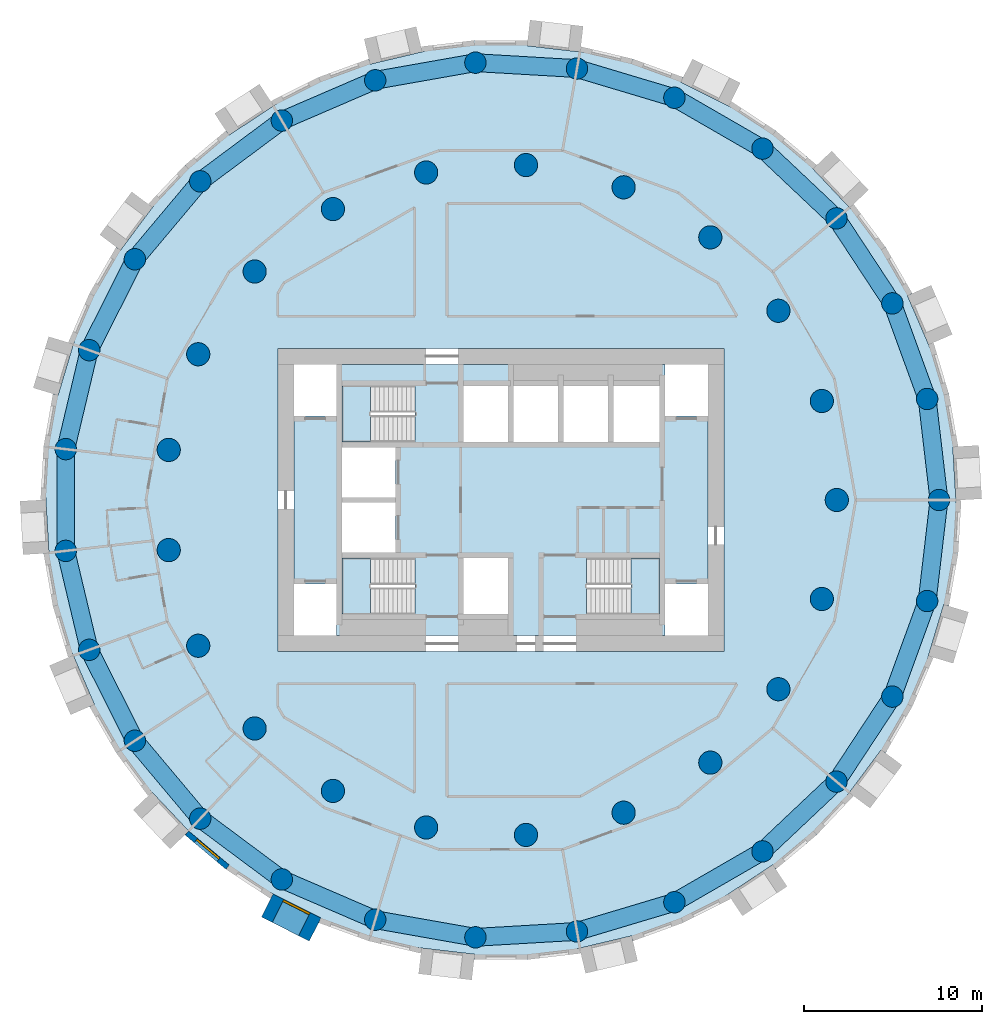
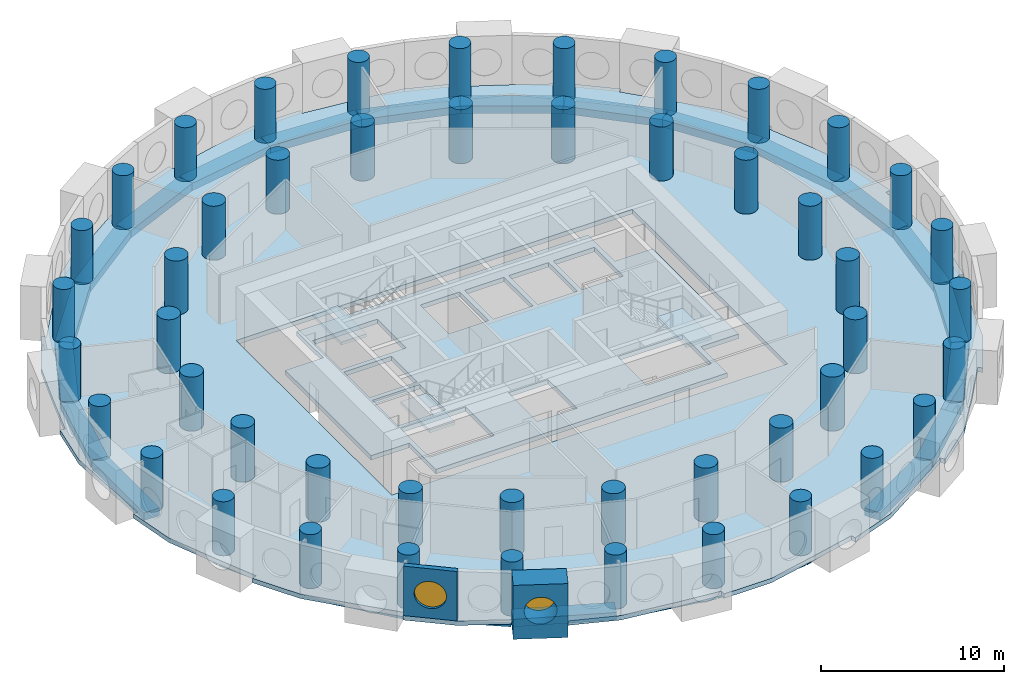
# One storey, part 1 of 9: 48 columns, 27 beams, 5 slabs, 2 walls, 2 windows, 2 openings, 3 elements without a shape of their own.
"""IFC4 building model written with IfcOpenShell, lengths in metres."""

from ifc_helpers import new_model, si_unit, direction, frame, frame_2d, origin, origin_2d, place, context, subcontext, project, spatial, polyline, rectangle, circle, outline, extrude, material, layer, layer_set, material_profile, profile_set, type_object, element, fill, aggregate, save


model = new_model("IFC4")

# Units and contexts
model_context = context("Model", 3, precision=1e-05, world=origin(), true_north=direction((0.0, 1.0)))
body_context = subcontext(model_context, "Body", "Model", "MODEL_VIEW")
ifc_project = project(units=[si_unit("LENGTHUNIT", "METRE"), si_unit("AREAUNIT", "SQUARE_METRE"), si_unit("VOLUMEUNIT", "CUBIC_METRE"), si_unit("PLANEANGLEUNIT", "RADIAN"), si_unit("MASSUNIT", "GRAM", prefix="KILO")], contexts=[model_context])

# Site, building, storey
site_placement = place(None, origin())
site = spatial("IfcSite", under=ifc_project, at=site_placement, CompositionType="ELEMENT")
building_placement = place(site_placement, origin())
building = spatial("IfcBuilding", under=site, at=building_placement, Name="Tracery Tower", CompositionType="ELEMENT")
storey_placement = place(building_placement, frame((0.0, 0.0, 205.199951171875)))
storey = spatial("IfcBuildingStorey", under=building, at=storey_placement, Name="L53", CompositionType="ELEMENT", Elevation=205.199951171875)

# Columns
ifc_material_1 = material(Name="Concrete C50/60", Category="concrete")
ifc_material_profile_1 = material_profile(ifc_material_1, circle(Radius=0.60009765625, at=origin_2d()), Name="RC D1200")
ifc_profile_set_1 = profile_set([ifc_material_profile_1], Name="Concrete C50/60")
column_type_1 = type_object("IfcColumnType", Name="Ring 1 column 1200", PredefinedType="COLUMN", material=ifc_profile_set_1)
for number, where, z_axis, x_axis, name in (
    (1, (24.547607421875, 0.0, 0.0), (0.0, 0.0, 1.0), (1.0, 0.0, 0.0), "Ring 1 column 00 at L53"),
    (2, (23.885986328125, 5.6611328125, 0.0), (0.0, 0.0, 1.0), (1.0, 0.0, 0.0), "Ring 1 column 01 at L53"),
    (3, (21.9365234375, 11.01708984375, 0.0), (0.0, 0.0, 1.0), (1.0, 0.0, 0.0), "Ring 1 column 02 at L53"),
    (4, (18.8046875, 15.779052734375, 0.0), (0.0, 0.0, 1.0), (1.0, 0.0, 0.0), "Ring 1 column 03 at L53"),
    (5, (14.658935546875, 19.690185546875, 0.0), (0.0, 0.0, 1.0), (1.0, 0.0, 0.0), "Ring 1 column 04 at L53"),
    (6, (9.722900390625, 22.5400390625, 0.0), (0.0, 0.0, 1.0), (1.0, 0.0, 0.0), "Ring 1 column 05 at L53"),
    (7, (4.2626953125, 24.1748046875, 0.0), (0.0, 0.0, 1.0), (1.0, 0.0, 0.0), "Ring 1 column 06 at L53"),
    (8, (-1.42724609375, 24.506103515625, 0.0), (0.0, 0.0, 1.0), (1.0, 0.0, 0.0), "Ring 1 column 07 at L53"),
    (9, (-7.040283203125, 23.516357421875, 0.0), (0.0, 0.0, 1.0), (1.0, 0.0, 0.0), "Ring 1 column 08 at L53"),
    (10, (-12.273681640625, 21.2587890625, 0.0), (0.0, 0.0, 1.0), (1.0, 0.0, 0.0), "Ring 1 column 09 at L53"),
    (11, (-16.845703125, 17.855224609375, 0.0), (0.0, 0.0, 1.0), (1.0, 0.0, 0.0), "Ring 1 column 10 at L53"),
    (12, (-20.50927734375, 13.4892578125, 0.0), (0.0, 0.0, 1.0), (1.0, 0.0, 0.0), "Ring 1 column 11 at L53"),
    (13, (-23.0673828125, 8.395751953125, 0.0), (0.0, 0.0, 1.0), (1.0, 0.0, 0.0), "Ring 1 column 12 at L53"),
    (14, (-24.381591796875, 2.849853515625, 0.0), (0.0, 0.0, 1.0), (1.0, 0.0, 0.0), "Ring 1 column 13 at L53"),
    (15, (-24.381591796875, -2.849853515625, 0.0), (0.0, 0.0, 1.0), (1.0, 0.0, 0.0), "Ring 1 column 14 at L53"),
    (16, (-23.0673828125, -8.395751953125, 0.0), (0.0, 0.0, 1.0), (1.0, 0.0, 0.0), "Ring 1 column 15 at L53"),
    (17, (-20.50927734375, -13.4892578125, 0.0), (0.0, 0.0, 1.0), (1.0, 0.0, 0.0), "Ring 1 column 16 at L53"),
    (18, (-16.845703125, -17.85546875, 0.0), (0.0, 0.0, 1.0), (1.0, 0.0, 0.0), "Ring 1 column 17 at L53"),
    (19, (-12.27392578125, -21.2587890625, 0.0), (0.0, 0.0, 1.0), (1.0, 0.0, 0.0), "Ring 1 column 18 at L53"),
    (20, (-7.040283203125, -23.516357421875, 0.0), (0.0, 0.0, 1.0), (1.0, 0.0, 0.0), "Ring 1 column 19 at L53"),
    (21, (-1.42724609375, -24.506103515625, 0.0), (0.0, 0.0, 1.0), (1.0, 0.0, 0.0), "Ring 1 column 20 at L53"),
    (22, (4.2626953125, -24.1748046875, 0.0), (0.0, 0.0, 1.0), (1.0, 0.0, 0.0), "Ring 1 column 21 at L53"),
    (23, (9.722900390625, -22.5400390625, 0.0), (0.0, 0.0, 1.0), (1.0, 0.0, 0.0), "Ring 1 column 22 at L53"),
    (24, (14.658935546875, -19.690185546875, 0.0), (0.0, 0.0, 1.0), (1.0, 0.0, 0.0), "Ring 1 column 23 at L53"),
    (25, (18.8046875, -15.779052734375, 0.0), (0.0, 0.0, 1.0), (1.0, 0.0, 0.0), "Ring 1 column 24 at L53"),
    (26, (21.9365234375, -11.01708984375, 0.0), (0.0, 0.0, 1.0), (1.0, 0.0, 0.0), "Ring 1 column 25 at L53"),
    (27, (23.885986328125, -5.6611328125, 0.0), (0.0, 0.0, 1.0), (1.0, 0.0, 0.0), "Ring 1 column 26 at L53"),
):
    element("IfcColumn", number, at=place(storey_placement, frame(where, z_axis=z_axis, x_axis=x_axis)), inside=storey, type_object=column_type_1, Name=name, PredefinedType="COLUMN", context=body_context, shape_type="SweptSolid", body=[
        extrude(circle(Radius=0.60009765625, at=origin_2d()), origin(), (0.0, 0.0, 1.0), 3.60009765625),
    ])
ifc_material_2 = material(Name="Concrete C50/60", Category="concrete")
ifc_material_profile_2 = material_profile(ifc_material_2, circle(Radius=0.64990234375, at=origin_2d()), Name="RC D1300")
ifc_profile_set_2 = profile_set([ifc_material_profile_2], Name="Concrete C50/60")
column_type_2 = type_object("IfcColumnType", Name="Ring 2 column 1300", PredefinedType="COLUMN", material=ifc_profile_set_2)
for number, where, z_axis, x_axis, name in (
    (28, (18.822265625, 0.0, 0.0), (0.0, 0.0, 1.0), (1.0, 0.0, 0.0), "Ring 2 column 00 at L53"),
    (29, (17.986083984375, 5.5478515625, 0.0), (0.0, 0.0, 1.0), (1.0, 0.0, 0.0), "Ring 2 column 01 at L53"),
    (30, (15.551513671875, 10.602783203125, 0.0), (0.0, 0.0, 1.0), (1.0, 0.0, 0.0), "Ring 2 column 02 at L53"),
    (31, (11.7353515625, 14.7158203125, 0.0), (0.0, 0.0, 1.0), (1.0, 0.0, 0.0), "Ring 2 column 03 at L53"),
    (32, (6.87646484375, 17.52099609375, 0.0), (0.0, 0.0, 1.0), (1.0, 0.0, 0.0), "Ring 2 column 04 at L53"),
    (33, (1.406494140625, 18.76953125, 0.0), (0.0, 0.0, 1.0), (1.0, 0.0, 0.0), "Ring 2 column 05 at L53"),
    (34, (-4.188232421875, 18.350341796875, 0.0), (0.0, 0.0, 1.0), (1.0, 0.0, 0.0), "Ring 2 column 06 at L53"),
    (35, (-9.4111328125, 16.300537109375, 0.0), (0.0, 0.0, 1.0), (1.0, 0.0, 0.0), "Ring 2 column 07 at L53"),
    (36, (-13.797607421875, 12.802490234375, 0.0), (0.0, 0.0, 1.0), (1.0, 0.0, 0.0), "Ring 2 column 08 at L53"),
    (37, (-16.958251953125, 8.16650390625, 0.0), (0.0, 0.0, 1.0), (1.0, 0.0, 0.0), "Ring 2 column 09 at L53"),
    (38, (-18.612060546875, 2.805419921875, 0.0), (0.0, 0.0, 1.0), (1.0, 0.0, 0.0), "Ring 2 column 10 at L53"),
    (39, (-18.612060546875, -2.805419921875, 0.0), (0.0, 0.0, 1.0), (1.0, 0.0, 0.0), "Ring 2 column 11 at L53"),
    (40, (-16.958251953125, -8.166748046875, 0.0), (0.0, 0.0, 1.0), (1.0, 0.0, 0.0), "Ring 2 column 12 at L53"),
    (41, (-13.797607421875, -12.80224609375, 0.0), (0.0, 0.0, 1.0), (1.0, 0.0, 0.0), "Ring 2 column 13 at L53"),
    (42, (-9.4111328125, -16.300537109375, 0.0), (0.0, 0.0, 1.0), (1.0, 0.0, 0.0), "Ring 2 column 14 at L53"),
    (43, (-4.188232421875, -18.350341796875, 0.0), (0.0, 0.0, 1.0), (1.0, 0.0, 0.0), "Ring 2 column 15 at L53"),
    (44, (1.406494140625, -18.76953125, 0.0), (0.0, 0.0, 1.0), (1.0, 0.0, 0.0), "Ring 2 column 16 at L53"),
    (45, (6.87646484375, -17.52099609375, 0.0), (0.0, 0.0, 1.0), (1.0, 0.0, 0.0), "Ring 2 column 17 at L53"),
    (46, (11.7353515625, -14.7158203125, 0.0), (0.0, 0.0, 1.0), (1.0, 0.0, 0.0), "Ring 2 column 18 at L53"),
    (47, (15.551513671875, -10.602783203125, 0.0), (0.0, 0.0, 1.0), (1.0, 0.0, 0.0), "Ring 2 column 19 at L53"),
    (48, (17.986083984375, -5.5478515625, 0.0), (0.0, 0.0, 1.0), (1.0, 0.0, 0.0), "Ring 2 column 20 at L53"),
):
    element("IfcColumn", number, at=place(storey_placement, frame(where, z_axis=z_axis, x_axis=x_axis)), inside=storey, type_object=column_type_2, Name=name, PredefinedType="COLUMN", context=body_context, shape_type="SweptSolid", body=[
        extrude(circle(Radius=0.64990234375, at=origin_2d()), origin(), (0.0, 0.0, 1.0), 3.60009765625),
    ])

# Beams
ifc_material_3 = material(Name="Concrete C50/60", Category="concrete")
ifc_material_profile_3 = material_profile(ifc_material_3, rectangle(XDim=1.0, YDim=0.5, at=origin_2d()), Name="RC 1000x500")
ifc_profile_set_3 = profile_set([ifc_material_profile_3], Name="Concrete C50/60")
beam_type = type_object("IfcBeamType", Name="Perimeter band beam 1000x500", PredefinedType="BEAM", material=ifc_profile_set_3)
for number, where, z_axis, x_axis, name in (
    (49, (24.547607421875, 0.0, -0.550048828125), (-0.116080723252, 0.993239782575, 0.0), (-0.993239782575, -0.116080723252, 0.0), "Perimeter beam 1.00 under L53"),
    (50, (23.885986328125, 5.6611328125, -0.550048828125), (-0.342028502279, 0.939689578334, 0.0), (-0.939689578334, -0.342028502279, 0.0), "Perimeter beam 1.01 under L53"),
):
    element("IfcBeam", number, at=place(storey_placement, frame(where, z_axis=z_axis, x_axis=x_axis)), inside=storey, type_object=beam_type, Name=name, PredefinedType="BEAM", context=body_context, shape_type="SweptSolid", body=[
        extrude(rectangle(XDim=1.0, YDim=0.5, at=origin_2d()), origin(), (0.0, 0.0, 1.0), 5.69970703125),
    ])
for number, where, z_axis, x_axis, name in (
    (51, (21.9365234375, 11.01708984375, -0.550048828125), (-0.549489832182, 0.835500403548, 0.0), (-0.835500403548, -0.549489832182, 0.0), "Perimeter beam 1.02 under L53"),
    (52, (18.8046875, 15.779052734375, -0.550048828125), (-0.727389618263, 0.686224703172, 0.0), (-0.686224703172, -0.727389618263, 0.0), "Perimeter beam 1.03 under L53"),
):
    element("IfcBeam", number, at=place(storey_placement, frame(where, z_axis=z_axis, x_axis=x_axis)), inside=storey, type_object=beam_type, Name=name, PredefinedType="BEAM", context=body_context, shape_type="SweptSolid", body=[
        extrude(rectangle(XDim=1.0, YDim=0.5, at=origin_2d()), origin(), (0.0, 0.0, 1.0), 5.699462890625),
    ])
for number, where, z_axis, x_axis, name in (
    (53, (14.658935546875, 19.690185546875, -0.550048828125), (-0.866022950691, 0.500004248858, 0.0), (-0.500004248858, -0.866022950691, 0.0), "Perimeter beam 1.04 under L53"),
    (54, (9.722900390625, 22.5400390625, -0.550048828125), (-0.957985292634, 0.28681732705, 0.0), (-0.28681732705, -0.957985292634, 0.0), "Perimeter beam 1.05 under L53"),
):
    element("IfcBeam", number, at=place(storey_placement, frame(where, z_axis=z_axis, x_axis=x_axis)), inside=storey, type_object=beam_type, Name=name, PredefinedType="BEAM", context=body_context, shape_type="SweptSolid", body=[
        extrude(rectangle(XDim=1.0, YDim=0.5, at=origin_2d()), origin(), (0.0, 0.0, 1.0), 5.69970703125),
    ])
beam_1_placement = place(storey_placement, frame((4.2626953125, 24.1748046875, -0.550048828125), z_axis=(-0.99830920221, 0.058126902403, 0.0), x_axis=(-0.058126902403, -0.99830920221, 0.0)))
element("IfcBeam", 55, at=beam_1_placement, inside=storey, type_object=beam_type, Name="Perimeter beam 1.06 under L53", PredefinedType="BEAM", context=body_context, shape_type="SweptSolid", body=[
    extrude(rectangle(XDim=1.0, YDim=0.5, at=origin_2d()), origin(), (0.0, 0.0, 1.0), 5.699462890625),
])
beam_2_placement = place(storey_placement, frame((-1.42724609375, 24.506103515625, -0.550048828125), z_axis=(-0.984807266719, -0.173650935552, 0.0), x_axis=(0.173650935552, -0.984807266719, 0.0)))
element("IfcBeam", 56, at=beam_2_placement, inside=storey, type_object=beam_type, Name="Perimeter beam 1.07 under L53", PredefinedType="BEAM", context=body_context, shape_type="SweptSolid", body=[
    extrude(rectangle(XDim=1.0, YDim=0.5, at=origin_2d()), origin(), (0.0, 0.0, 1.0), 5.69970703125),
])
beam_3_placement = place(storey_placement, frame((-7.040283203125, 23.516357421875, -0.550048828125), z_axis=(-0.918209685525, -0.396094652083, 0.0), x_axis=(0.396094652083, -0.918209685525, 0.0)))
element("IfcBeam", 57, at=beam_3_placement, inside=storey, type_object=beam_type, Name="Perimeter beam 1.08 under L53", PredefinedType="BEAM", context=body_context, shape_type="SweptSolid", body=[
    extrude(rectangle(XDim=1.0, YDim=0.5, at=origin_2d()), origin(), (0.0, 0.0, 1.0), 5.699462890625),
])
beam_4_placement = place(storey_placement, frame((-12.273681640625, 21.2587890625, -0.550048828125), z_axis=(-0.802138271299, -0.59713833717, 0.0), x_axis=(0.59713833717, -0.802138271299, 0.0)))
element("IfcBeam", 58, at=beam_4_placement, inside=storey, type_object=beam_type, Name="Perimeter beam 1.09 under L53", PredefinedType="BEAM", context=body_context, shape_type="SweptSolid", body=[
    extrude(rectangle(XDim=1.0, YDim=0.5, at=origin_2d()), origin(), (0.0, 0.0, 1.0), 5.69970703125),
])
beam_5_placement = place(storey_placement, frame((-16.845703125, 17.855224609375, -0.550048828125), z_axis=(-0.642797194343, -0.766036400535, 0.0), x_axis=(0.766036400535, -0.642797194343, 0.0)))
element("IfcBeam", 59, at=beam_5_placement, inside=storey, type_object=beam_type, Name="Perimeter beam 1.10 under L53", PredefinedType="BEAM", context=body_context, shape_type="SweptSolid", body=[
    extrude(rectangle(XDim=1.0, YDim=0.5, at=origin_2d()), origin(), (0.0, 0.0, 1.0), 5.699462890625),
])
beam_6_placement = place(storey_placement, frame((-20.50927734375, 13.4892578125, -0.550048828125), z_axis=(-0.448806280933, -0.893629074166, 0.0), x_axis=(0.893629074166, -0.448806280933, 0.0)))
element("IfcBeam", 60, at=beam_6_placement, inside=storey, type_object=beam_type, Name="Perimeter beam 1.11 under L53", PredefinedType="BEAM", context=body_context, shape_type="SweptSolid", body=[
    extrude(rectangle(XDim=1.0, YDim=0.5, at=origin_2d()), origin(), (0.0, 0.0, 1.0), 5.69970703125),
])
beam_7_placement = place(storey_placement, frame((-23.0673828125, 8.395751953125, -0.550048828125), z_axis=(-0.230583793756, -0.973052472407, 0.0), x_axis=(0.973052472407, -0.230583793756, 0.0)))
element("IfcBeam", 61, at=beam_7_placement, inside=storey, type_object=beam_type, Name="Perimeter beam 1.12 under L53", PredefinedType="BEAM", context=body_context, shape_type="SweptSolid", body=[
    extrude(rectangle(XDim=1.0, YDim=0.5, at=origin_2d()), origin(), (0.0, 0.0, 1.0), 5.699462890625),
])
beam_8_placement = place(storey_placement, frame((-24.381591796875, 2.849853515625, -0.550048828125), z_axis=(0.0, -1.0, 0.0), x_axis=(1.0, 0.0, 0.0)))
element("IfcBeam", 62, at=beam_8_placement, inside=storey, type_object=beam_type, Name="Perimeter beam 1.13 under L53", PredefinedType="BEAM", context=body_context, shape_type="SweptSolid", body=[
    extrude(rectangle(XDim=1.0, YDim=0.5, at=origin_2d()), origin(), (0.0, 0.0, 1.0), 5.69970703125),
])
beam_9_placement = place(storey_placement, frame((-24.381591796875, -2.849853515625, -0.550048828125), z_axis=(0.230583793756, -0.973052472407, 0.0), x_axis=(0.973052472407, 0.230583793756, 0.0)))
element("IfcBeam", 63, at=beam_9_placement, inside=storey, type_object=beam_type, Name="Perimeter beam 1.14 under L53", PredefinedType="BEAM", context=body_context, shape_type="SweptSolid", body=[
    extrude(rectangle(XDim=1.0, YDim=0.5, at=origin_2d()), origin(), (0.0, 0.0, 1.0), 5.699462890625),
])
for number, where, z_axis, x_axis, name in (
    (64, (-23.0673828125, -8.395751953125, -0.550048828125), (0.448806280933, -0.893629074166, 0.0), (0.893629074166, 0.448806280933, 0.0), "Perimeter beam 1.15 under L53"),
    (65, (-20.50927734375, -13.4892578125, -0.550048828125), (0.64277610208, -0.766054099, 0.0), (0.766054099, 0.64277610208, 0.0), "Perimeter beam 1.16 under L53"),
):
    element("IfcBeam", number, at=place(storey_placement, frame(where, z_axis=z_axis, x_axis=x_axis)), inside=storey, type_object=beam_type, Name=name, PredefinedType="BEAM", context=body_context, shape_type="SweptSolid", body=[
        extrude(rectangle(XDim=1.0, YDim=0.5, at=origin_2d()), origin(), (0.0, 0.0, 1.0), 5.69970703125),
    ])
beam_10_placement = place(storey_placement, frame((-16.845703125, -17.85546875, -0.550048828125), z_axis=(0.802143514942, -0.597131293298, 0.0), x_axis=(0.597131293298, 0.802143514942, 0.0)))
element("IfcBeam", 66, at=beam_10_placement, inside=storey, type_object=beam_type, Name="Perimeter beam 1.17 under L53", PredefinedType="BEAM", context=body_context, shape_type="SweptSolid", body=[
    extrude(rectangle(XDim=1.0, YDim=0.5, at=origin_2d()), origin(), (0.0, 0.0, 1.0), 5.699462890625),
])
for number, where, z_axis, x_axis, name in (
    (67, (-12.27392578125, -21.2587890625, -0.550048828125), (0.918216405543, -0.39607907366, 0.0), (0.39607907366, 0.918216405543, 0.0), "Perimeter beam 1.18 under L53"),
    (68, (-7.040283203125, -23.516357421875, -0.550048828125), (0.984807266719, -0.173650935552, 0.0), (0.173650935552, 0.984807266719, 0.0), "Perimeter beam 1.19 under L53"),
):
    element("IfcBeam", number, at=place(storey_placement, frame(where, z_axis=z_axis, x_axis=x_axis)), inside=storey, type_object=beam_type, Name=name, PredefinedType="BEAM", context=body_context, shape_type="SweptSolid", body=[
        extrude(rectangle(XDim=1.0, YDim=0.5, at=origin_2d()), origin(), (0.0, 0.0, 1.0), 5.69970703125),
    ])
beam_11_placement = place(storey_placement, frame((-1.42724609375, -24.506103515625, -0.550048828125), z_axis=(0.99830920221, 0.058126902403, 0.0), x_axis=(-0.058126902403, 0.99830920221, 0.0)))
element("IfcBeam", 69, at=beam_11_placement, inside=storey, type_object=beam_type, Name="Perimeter beam 1.20 under L53", PredefinedType="BEAM", context=body_context, shape_type="SweptSolid", body=[
    extrude(rectangle(XDim=1.0, YDim=0.5, at=origin_2d()), origin(), (0.0, 0.0, 1.0), 5.699462890625),
])
for number, where, z_axis, x_axis, name in (
    (70, (4.2626953125, -24.1748046875, -0.550048828125), (0.957985292634, 0.28681732705, 0.0), (-0.28681732705, 0.957985292634, 0.0), "Perimeter beam 1.21 under L53"),
    (71, (9.722900390625, -22.5400390625, -0.550048828125), (0.866022950691, 0.500004248858, 0.0), (-0.500004248858, 0.866022950691, 0.0), "Perimeter beam 1.22 under L53"),
):
    element("IfcBeam", number, at=place(storey_placement, frame(where, z_axis=z_axis, x_axis=x_axis)), inside=storey, type_object=beam_type, Name=name, PredefinedType="BEAM", context=body_context, shape_type="SweptSolid", body=[
        extrude(rectangle(XDim=1.0, YDim=0.5, at=origin_2d()), origin(), (0.0, 0.0, 1.0), 5.69970703125),
    ])
for number, where, z_axis, x_axis, name in (
    (72, (14.658935546875, -19.690185546875, -0.550048828125), (0.727389618263, 0.686224703172, 0.0), (-0.686224703172, 0.727389618263, 0.0), "Perimeter beam 1.23 under L53"),
    (73, (18.8046875, -15.779052734375, -0.550048828125), (0.549489832182, 0.835500403548, 0.0), (-0.835500403548, 0.549489832182, 0.0), "Perimeter beam 1.24 under L53"),
):
    element("IfcBeam", number, at=place(storey_placement, frame(where, z_axis=z_axis, x_axis=x_axis)), inside=storey, type_object=beam_type, Name=name, PredefinedType="BEAM", context=body_context, shape_type="SweptSolid", body=[
        extrude(rectangle(XDim=1.0, YDim=0.5, at=origin_2d()), origin(), (0.0, 0.0, 1.0), 5.699462890625),
    ])
for number, where, z_axis, x_axis, name in (
    (74, (21.9365234375, -11.01708984375, -0.550048828125), (0.342028502279, 0.939689578334, 0.0), (-0.939689578334, 0.342028502279, 0.0), "Perimeter beam 1.25 under L53"),
    (75, (23.885986328125, -5.6611328125, -0.550048828125), (0.116080723252, 0.993239782575, 0.0), (-0.993239782575, 0.116080723252, 0.0), "Perimeter beam 1.26 under L53"),
):
    element("IfcBeam", number, at=place(storey_placement, frame(where, z_axis=z_axis, x_axis=x_axis)), inside=storey, type_object=beam_type, Name=name, PredefinedType="BEAM", context=body_context, shape_type="SweptSolid", body=[
        extrude(rectangle(XDim=1.0, YDim=0.5, at=origin_2d()), origin(), (0.0, 0.0, 1.0), 5.69970703125),
    ])

# Slabs
ifc_material_4 = material(Name="Concrete C50/60", Category="concrete")
ifc_layer_1 = layer(ifc_material_4, 0.300048828125)
ifc_layer_set_1 = layer_set([ifc_layer_1], Name="Core floor slab 300 C50")
slab_type_1 = type_object("IfcSlabType", Name="Core floor slab 300 C50", PredefinedType="FLOOR", material=ifc_layer_set_1)
slab_1_placement = place(storey_placement, frame((0.0, 0.0, -0.300048828125)))
element("IfcSlab", 76, at=slab_1_placement, inside=storey, type_object=slab_type_1, Name="L53 core floor 1", PredefinedType="FLOOR", context=body_context, shape_type="SweptSolid", body=[
    extrude(outline(polyline([(-9.199951171875, 7.60009765625), (9.199951171875, 7.60009765625), (9.199951171875, 4.699951171875), (11.60009765625, 4.699951171875), (11.60009765625, -4.699951171875), (9.199951171875, -4.699951171875), (9.199951171875, -7.60009765625), (-9.199951171875, -7.60009765625), (-9.199951171875, -4.699951171875), (-11.60009765625, -4.699951171875), (-11.60009765625, 4.699951171875), (-9.199951171875, 4.699951171875), (-9.199951171875, 7.60009765625)]), holes=[polyline([(4.800537109375, -6.39990234375), (8.89990234375, -6.39990234375), (8.89990234375, -3.25), (4.800537109375, -3.25), (4.800537109375, -6.39990234375)]), polyline([(8.89990234375, 3.25), (8.89990234375, 6.39990234375), (6.300048828125, 6.39990234375), (6.300048828125, 3.25), (8.89990234375, 3.25)]), polyline([(6.0, 3.25), (6.0, 6.39990234375), (3.5, 6.39990234375), (3.5, 3.25), (6.0, 3.25)]), polyline([(3.199951171875, 3.25), (3.199951171875, 6.39990234375), (0.699951171875, 6.39990234375), (0.699951171875, 3.25), (3.199951171875, 3.25)]), polyline([(-2.10009765625, 3.25), (0.39990234375, 3.25), (0.39990234375, 6.39990234375), (-2.10009765625, 6.39990234375), (-2.10009765625, 3.25)]), polyline([(0.39990234375, -6.39990234375), (0.39990234375, -3.25), (-2.10009765625, -3.25), (-2.10009765625, -6.39990234375), (0.39990234375, -6.39990234375)]), polyline([(-4.800537109375, -3.25), (-8.89990234375, -3.25), (-8.89990234375, -6.39990234375), (-4.800537109375, -6.39990234375), (-4.800537109375, -3.25)]), polyline([(-4.800537109375, 6.39990234375), (-8.89990234375, 6.39990234375), (-8.89990234375, 3.25), (-4.800537109375, 3.25), (-4.800537109375, 6.39990234375)]), polyline([(-5.89990234375, -2.949951171875), (-5.89990234375, -0.14990234375), (-8.89990234375, -0.14990234375), (-8.89990234375, -2.949951171875), (-5.89990234375, -2.949951171875)]), polyline([(-5.89990234375, 0.14990234375), (-5.89990234375, 2.949951171875), (-8.89990234375, 2.949951171875), (-8.89990234375, 0.14990234375), (-5.89990234375, 0.14990234375)])]), origin(), (0.0, 0.0, 1.0), 0.300048828125),
])
ifc_material_5 = material(Name="Concrete C40/50", Category="concrete")
ifc_layer_2 = layer(ifc_material_5, 0.300048828125)
ifc_layer_set_2 = layer_set([ifc_layer_2], Name="Floor slab 300")
slab_type_2 = type_object("IfcSlabType", Name="Floor slab 300", PredefinedType="FLOOR", material=ifc_layer_set_2)
slab_2_placement = place(storey_placement, frame((0.0, 0.0, -0.300048828125)))
element("IfcSlab", 77, at=slab_2_placement, inside=storey, type_object=slab_type_2, Name="Floor slab L53", PredefinedType="FLOOR", context=body_context, shape_type="SweptSolid", body=[
    extrude(outline(polyline([(22.78515625, 11.443115234375), (22.7783203125, 11.459228515625), (23.0537109375, 11.577880859375), (21.5537109375, 14.176025390625), (19.533203125, 16.387939453125), (18.208740234375, 17.791748046875), (17.497314453125, 18.5458984375), (17.497314453125, 18.5458984375), (17.485107421875, 18.55859375), (17.70361328125, 18.7646484375), (15.4052734375, 20.69287109375), (12.74853515625, 22.081298828125), (10.098876953125, 23.411865234375), (10.098876953125, 23.411865234375), (10.083251953125, 23.419921875), (10.217529296875, 23.68701171875), (10.218017578125, 23.68798828125), (7.39892578125, 24.7138671875), (4.427490234375, 25.10986328125), (3.055908203125, 25.27001953125), (1.465087890625, 25.4560546875), (1.5, 25.75390625), (1.5, 25.754150390625), (-1.5, 25.754150390625), (-4.427490234375, 25.10986328125), (-7.312744140625, 24.426025390625), (-7.312744140625, 24.426025390625), (-7.32958984375, 24.422119140625), (-7.398681640625, 24.713134765625), (-7.39892578125, 24.7138671875), (-10.218017578125, 23.68798828125), (-12.74853515625, 22.081298828125), (-13.4443359375, 21.623779296875), (-15.240478515625, 20.4423828125), (-15.4052734375, 20.69287109375), (-15.4052734375, 20.69287109375), (-17.70361328125, 18.7646484375), (-19.531005859375, 16.390625), (-20.657958984375, 14.876953125), (-21.302490234375, 14.010986328125), (-21.302490234375, 14.010986328125), (-21.31298828125, 13.996826171875), (-21.5537109375, 14.176025390625), (-23.0537109375, 11.577880859375), (-23.95947265625, 8.720703125), (-24.694580078125, 6.265380859375), (-24.81494140625, 5.86328125), (-25.102294921875, 5.949462890625), (-25.623291015625, 2.994873046875), (-25.497314453125, 0.00048828125), (-25.32373046875, -2.9775390625), (-25.623291015625, -2.994873046875), (-25.102294921875, -5.949462890625), (-23.95947265625, -8.720703125), (-22.78515625, -11.443115234375), (-22.78515625, -11.443115234375), (-22.7783203125, -11.459228515625), (-23.0537109375, -11.577880859375), (-21.5537109375, -14.176025390625), (-19.533203125, -16.387939453125), (-18.208740234375, -17.791748046875), (-17.497314453125, -18.5458984375), (-17.497314453125, -18.5458984375), (-17.485107421875, -18.55859375), (-17.70361328125, -18.7646484375), (-15.4052734375, -20.69287109375), (-12.74853515625, -22.081298828125), (-10.098876953125, -23.411865234375), (-10.098876953125, -23.411865234375), (-10.083251953125, -23.419921875), (-10.217529296875, -23.68701171875), (-10.218017578125, -23.68798828125), (-7.39892578125, -24.7138671875), (-4.427490234375, -25.10986328125), (-3.055908203125, -25.27001953125), (-1.465087890625, -25.4560546875), (-1.5, -25.75390625), (-1.5, -25.754150390625), (1.5, -25.754150390625), (4.427490234375, -25.10986328125), (7.312744140625, -24.426025390625), (7.312744140625, -24.426025390625), (7.32958984375, -24.422119140625), (7.398681640625, -24.713134765625), (7.39892578125, -24.7138671875), (10.218017578125, -23.68798828125), (12.74853515625, -22.081298828125), (13.4443359375, -21.623779296875), (15.240478515625, -20.4423828125), (15.4052734375, -20.69287109375), (15.4052734375, -20.69287109375), (17.70361328125, -18.7646484375), (19.531005859375, -16.390625), (20.657958984375, -14.876953125), (21.302490234375, -14.010986328125), (21.302490234375, -14.010986328125), (21.31298828125, -13.996826171875), (21.5537109375, -14.176025390625), (23.0537109375, -11.577880859375), (23.95947265625, -8.720703125), (24.694580078125, -6.265380859375), (24.81494140625, -5.86328125), (25.102294921875, -5.949462890625), (25.623291015625, -2.994873046875), (25.497314453125, -0.00048828125), (25.32373046875, 2.9775390625), (25.623291015625, 2.994873046875), (25.102294921875, 5.949462890625), (23.95947265625, 8.720703125), (22.78515625, 11.443115234375), (22.78515625, 11.443115234375)]), holes=[polyline([(-12.5, -8.5), (12.5, -8.5), (12.5, 8.5), (-12.5, 8.5), (-12.5, -8.5)])]), origin(), (0.0, 0.0, 1.0), 0.300048828125),
])

# Stair, slab
ifc_material_6 = material(Name="Concrete C32/40", Category="concrete")
stair_type = type_object("IfcStairType", Name="Core stair 22 risers", PredefinedType="HALF_TURN_STAIR", material=ifc_material_6)
stair_1_placement = place(storey_placement, origin())
stair_1 = element("IfcStair", 78, at=stair_1_placement, inside=storey, type_object=stair_type, Name="L53 stair ST1", PredefinedType="HALF_TURN_STAIR")
ifc_material_7 = material(Name="Concrete C32/40", Category="concrete")
ifc_layer_3 = layer(ifc_material_7, 0.199951171875)
ifc_layer_set_3 = layer_set([ifc_layer_3], Name="Stair landing slab 200")
slab_type_3 = type_object("IfcSlabType", Name="Stair landing slab 200", PredefinedType="LANDING", material=ifc_layer_set_3)
slab_3_placement = place(storey_placement, frame((0.0, 0.0, 1.60009765625)))
slab_3 = element("IfcSlab", 79, at=slab_3_placement, type_object=slab_type_3, Name="ST1 landing 1", PredefinedType="LANDING", context=body_context, shape_type="SweptSolid", body=[
    extrude(outline(polyline([(-7.29931640625, -3.25), (-8.89990234375, -3.25), (-8.89990234375, -6.39990234375), (-7.29931640625, -6.39990234375), (-7.29931640625, -3.25)])), origin(), (0.0, 0.0, 1.0), 0.199951171875),
])
aggregate(stair_1, [slab_3])

stair_2_placement = place(storey_placement, origin())
stair_2 = element("IfcStair", 80, at=stair_2_placement, inside=storey, type_object=stair_type, Name="L53 stair ST3", PredefinedType="HALF_TURN_STAIR")
slab_4_placement = place(storey_placement, frame((0.0, 0.0, 1.60009765625)))
slab_4 = element("IfcSlab", 81, at=slab_4_placement, type_object=slab_type_3, Name="ST3 landing 1", PredefinedType="LANDING", context=body_context, shape_type="SweptSolid", body=[
    extrude(outline(polyline([(-7.29931640625, 6.39990234375), (-8.89990234375, 6.39990234375), (-8.89990234375, 3.25), (-7.29931640625, 3.25), (-7.29931640625, 6.39990234375)])), origin(), (0.0, 0.0, 1.0), 0.199951171875),
])
aggregate(stair_2, [slab_4])

stair_3_placement = place(storey_placement, origin())
stair_3 = element("IfcStair", 82, at=stair_3_placement, inside=storey, type_object=stair_type, Name="L53 stair ST2", PredefinedType="HALF_TURN_STAIR")
slab_5_placement = place(storey_placement, frame((0.0, 0.0, 1.60009765625)))
slab_5 = element("IfcSlab", 83, at=slab_5_placement, type_object=slab_type_3, Name="ST2 landing 1", PredefinedType="LANDING", context=body_context, shape_type="SweptSolid", body=[
    extrude(outline(polyline([(7.29931640625, -6.39990234375), (8.89990234375, -6.39990234375), (8.89990234375, -3.25), (7.29931640625, -3.25), (7.29931640625, -6.39990234375)])), origin(), (0.0, 0.0, 1.0), 0.199951171875),
])
aggregate(stair_3, [slab_5])

# Wall, opening, window
ifc_material_8 = material(Name="Precast concrete C50/60", Category="concrete")
ifc_layer_4 = layer(ifc_material_8, 1.449951171875)
ifc_layer_set_4 = layer_set([ifc_layer_4], Name="Deep-set bay unit 3000 x 3600, slab edge 300")
wall_type_1 = type_object("IfcWallType", Name="Deep-set bay unit 3000 x 3600, slab edge 300", PredefinedType="ELEMENTEDWALL", material=ifc_layer_set_4)
wall_1_placement = place(storey_placement, frame((-13.089599609375, -22.72119140625, -0.300048828125), z_axis=(0.0, 0.0, 1.0), x_axis=(0.893628249713, -0.448807922518, 0.0)))
wall_1 = element("IfcWall", 84, at=wall_1_placement, inside=storey, type_object=wall_type_1, Name="Deep-set bay unit 37 at L53", PredefinedType="ELEMENTEDWALL", context=body_context, shape_type="SweptSolid", body=[
    extrude(rectangle(XDim=3.0, YDim=1.449951171875, at=frame_2d((1.5, 0.0))), origin(), (0.0, 0.0, 1.0), 3.60009765625),
])
opening_1_placement = place(wall_1_placement, frame((1.5, 0.0, 1.85009765625)))
opening_1 = element("IfcOpeningElement", 85, at=opening_1_placement, cuts=wall_1, Name="Opening WN1", PredefinedType="OPENING", context=body_context, shape_type="SweptSolid", body=[
    extrude(circle(Radius=0.9000244140625, at=origin_2d()), frame((0.0, 0.73486328125, 0.0), z_axis=(0.0, -1.0, 0.0), x_axis=(1.0, 0.0, 0.0)), (0.0, 0.0, 1.0), 1.469970703125),
])
ifc_material_9 = material(Name="Aluminium frame with tinted double glazing", Category="aluminium")
window_type = type_object("IfcWindowType", Name="Round window 1800", PartitioningType="SINGLE_PANEL", PredefinedType="WINDOW", material=ifc_material_9)
window_1_placement = place(opening_1_placement, origin())
window_1 = element("IfcWindow", 86, at=window_1_placement, inside=storey, type_object=window_type, Name="Round window 37 at L53", OverallHeight=1.800048828125, OverallWidth=1.800048828125, PartitioningType="SINGLE_PANEL", PredefinedType="WINDOW", context=body_context, shape_type="SweptSolid", body=[
    extrude(circle(Radius=0.9000244140625, at=origin_2d()), frame((0.0, 0.69482421875, 0.0), z_axis=(0.0, -1.0, 0.0), x_axis=(1.0, 0.0, 0.0)), (0.0, 0.0, 1.0), 0.10009765625),
])
fill(opening_1, window_1)

ifc_material_10 = material(Name="Precast concrete C50/60", Category="concrete")
ifc_layer_5 = layer(ifc_material_10, 0.300048828125)
ifc_layer_set_5 = layer_set([ifc_layer_5], Name="Facade panel 3000 x 3300")
wall_type_2 = type_object("IfcWallType", Name="Facade panel 3000 x 3300", PredefinedType="SOLIDWALL", material=ifc_layer_set_5)
wall_2_placement = place(storey_placement, frame((-17.593017578125, -18.661376953125, 0.0), z_axis=(0.0, 0.0, 1.0), x_axis=(0.766008913364, -0.642829950023, 0.0)))
wall_2 = element("IfcWall", 87, at=wall_2_placement, inside=storey, type_object=wall_type_2, Name="Facade panel 35 at L53", PredefinedType="SOLIDWALL", context=body_context, shape_type="SweptSolid", body=[
    extrude(rectangle(XDim=2.972900390625, YDim=0.300048828125, at=frame_2d((1.486328125, 0.0))), origin(), (0.0, 0.0, 1.0), 3.300048828125),
])
opening_2_placement = place(wall_2_placement, frame((1.486328125, 0.0, 1.5498046875)))
opening_2 = element("IfcOpeningElement", 88, at=opening_2_placement, cuts=wall_2, Name="Opening WN1", PredefinedType="OPENING", context=body_context, shape_type="SweptSolid", body=[
    extrude(circle(Radius=0.9000244140625, at=origin_2d()), frame((0.0, 0.159912109375, 0.0), z_axis=(0.0, -1.0, 0.0), x_axis=(1.0, 0.0, 0.0)), (0.0, 0.0, 1.0), 0.320068359375),
])
window_2_placement = place(opening_2_placement, origin())
window_2 = element("IfcWindow", 89, at=window_2_placement, inside=storey, type_object=window_type, Name="Round window 35 at L53", OverallHeight=1.800048828125, OverallWidth=1.800048828125, PartitioningType="SINGLE_PANEL", PredefinedType="WINDOW", context=body_context, shape_type="SweptSolid", body=[
    extrude(circle(Radius=0.9000244140625, at=origin_2d()), frame((0.0, 0.1201171875, 0.0), z_axis=(0.0, -1.0, 0.0), x_axis=(1.0, 0.0, 0.0)), (0.0, 0.0, 1.0), 0.10009765625),
])
fill(opening_2, window_2)

save(model, "model.ifc")
